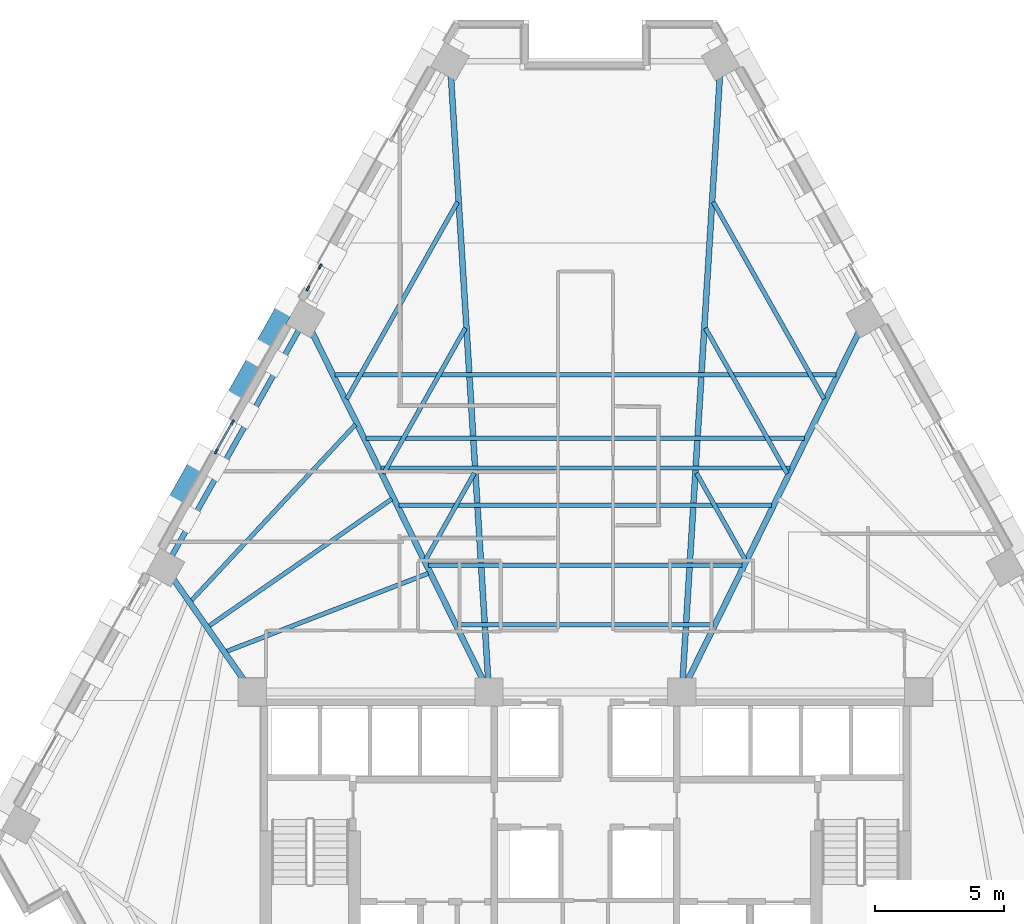
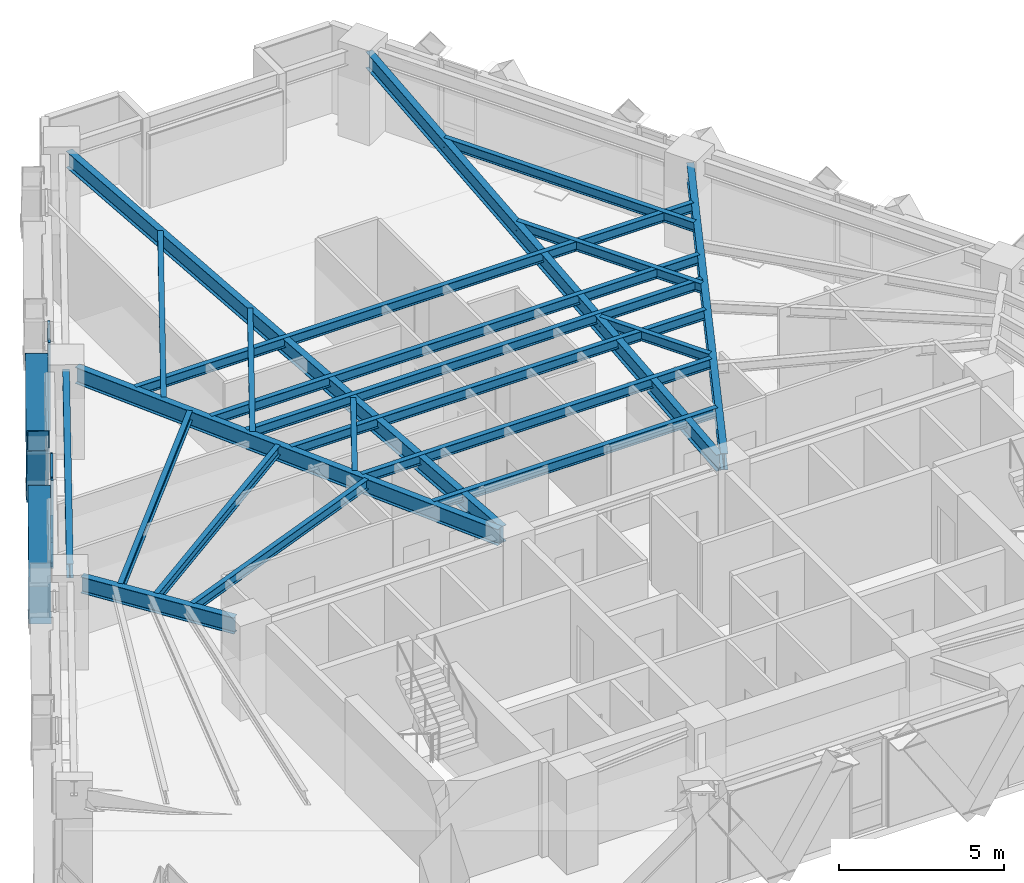
# One storey, part 3 of 13: 21 beams, 10 members, 2 elements without a shape of their own.
"""IFC4 building model written with IfcOpenShell, lengths in metres."""

from ifc_helpers import new_model, si_unit, direction, frame, origin, origin_2d, place, context, subcontext, project, spatial, rectangle, hollow_rectangle, i_section, extrude, material, material_profile, profile_set, type_object, element, aggregate, save


model = new_model("IFC4")

# Units and contexts
model_context = context("Model", 3, precision=1e-05, world=origin(), true_north=direction((0.0, 1.0)))
body_context = subcontext(model_context, "Body", "Model", "MODEL_VIEW")
ifc_project = project(units=[si_unit("LENGTHUNIT", "METRE"), si_unit("AREAUNIT", "SQUARE_METRE"), si_unit("VOLUMEUNIT", "CUBIC_METRE"), si_unit("PLANEANGLEUNIT", "RADIAN"), si_unit("MASSUNIT", "GRAM", prefix="KILO")], contexts=[model_context])

# Site, building, storey
site_placement = place(None, origin())
site = spatial("IfcSite", under=ifc_project, at=site_placement, CompositionType="ELEMENT")
building_placement = place(site_placement, origin())
building = spatial("IfcBuilding", under=site, at=building_placement, Name="Quenlor Broadcast Tower", CompositionType="ELEMENT")
storey_placement = place(building_placement, frame((0.0, 0.0, 98.5)))
storey = spatial("IfcBuildingStorey", under=building, at=storey_placement, Name="L26", CompositionType="ELEMENT", Elevation=98.5)

# Curtain wall, members
ifc_material_1 = material(Name="Architectural Terracotta and Low-E Glazing", Category="masonry")
curtain_wall_type = type_object("IfcCurtainWallType", Name="Unitised Terracotta Curtain Wall System Z2", PredefinedType="NOTDEFINED", material=ifc_material_1)
curtain_wall_1_placement = place(storey_placement, origin())
curtain_wall_1 = element("IfcCurtainWall", 1, at=curtain_wall_1_placement, inside=storey, type_object=curtain_wall_type, Name="L26 Curtain Wall CW2 (L26-NWC-G1)", PredefinedType="NOTDEFINED")
ifc_material_2 = material(Name="Aluminium 6063-T6", Category="aluminium")
ifc_material_profile_1 = material_profile(ifc_material_2, rectangle(XDim=0.074951171875, YDim=0.199951171875, at=origin_2d()))
ifc_profile_set_1 = profile_set([ifc_material_profile_1], Name="Aluminium 6063-T6 MULL75x200")
member_type_1 = type_object("IfcMemberType", Name="CW2 Aluminium Mullion MULL_CW2", PredefinedType="MULLION", material=ifc_profile_set_1)
member_1_placement = place(storey_placement, frame((-10.7880859375, 10.894775390625, 0.0), z_axis=(0.0, 0.0, 1.0), x_axis=(-0.871580587336, 0.490252261371, 0.0)))
member_1 = element("IfcMember", 2, at=member_1_placement, type_object=member_type_1, Name="CW2 mullion 1", PredefinedType="MULLION", context=body_context, shape_type="SweptSolid", body=[
    extrude(rectangle(XDim=0.074951171875, YDim=0.199951171875, at=origin_2d()), origin(), (0.0, 0.0, 1.0), 3.25),
])
member_2_placement = place(storey_placement, frame((-10.306396484375, 11.751220703125, 0.0), z_axis=(0.0, 0.0, 1.0), x_axis=(-0.871580587336, 0.490252261371, 0.0)))
member_2 = element("IfcMember", 3, at=member_2_placement, type_object=member_type_1, Name="CW2 mullion 2", PredefinedType="MULLION", context=body_context, shape_type="SweptSolid", body=[
    extrude(rectangle(XDim=0.074951171875, YDim=0.199951171875, at=origin_2d()), origin(), (0.0, 0.0, 1.0), 3.25),
])
aggregate(curtain_wall_1, [member_1, member_2])

curtain_wall_2_placement = place(storey_placement, origin())
curtain_wall_2 = element("IfcCurtainWall", 4, at=curtain_wall_2_placement, inside=storey, type_object=curtain_wall_type, Name="L26 Curtain Wall CW2 (L26-NW-G1)", PredefinedType="NOTDEFINED")
member_3_placement = place(storey_placement, frame((-14.3515625, 4.559814453125, 0.0), z_axis=(0.0, 0.0, 1.0), x_axis=(-0.871579452423, 0.490254279037, 0.0)))
member_3 = element("IfcMember", 5, at=member_3_placement, type_object=member_type_1, Name="CW2 mullion 1", PredefinedType="MULLION", context=body_context, shape_type="SweptSolid", body=[
    extrude(rectangle(XDim=0.074951171875, YDim=0.199951171875, at=origin_2d()), origin(), (0.0, 0.0, 1.0), 3.25),
])
member_4_placement = place(storey_placement, frame((-13.719482421875, 5.683349609375, 0.0), z_axis=(0.0, 0.0, 1.0), x_axis=(-0.871579452423, 0.490254279037, 0.0)))
member_4 = element("IfcMember", 6, at=member_4_placement, type_object=member_type_1, Name="CW2 mullion 2", PredefinedType="MULLION", context=body_context, shape_type="SweptSolid", body=[
    extrude(rectangle(XDim=0.074951171875, YDim=0.199951171875, at=origin_2d()), origin(), (0.0, 0.0, 1.0), 3.25),
])
ifc_material_3 = material(Name="Aluminium 6063-T6", Category="aluminium")
ifc_material_profile_2 = material_profile(ifc_material_3, rectangle(XDim=0.074951171875, YDim=0.1650390625, at=origin_2d()))
ifc_profile_set_2 = profile_set([ifc_material_profile_2], Name="Aluminium 6063-T6 TRAN75x165")
member_type_2 = type_object("IfcMemberType", Name="CW2 Aluminium Transom TRAN_CW2", PredefinedType="USERDEFINED", material=ifc_profile_set_2)
member_5_placement = place(storey_placement, frame((-14.333251953125, 4.592529296875, 0.03759765625), z_axis=(0.490433072585, 0.871478858788, 0.0), x_axis=(-0.871478858788, 0.490433072585, 0.0)))
member_5 = element("IfcMember", 7, at=member_5_placement, type_object=member_type_2, Name="CW2 transom 1.1", ObjectType="TRANSOM", PredefinedType="USERDEFINED", context=body_context, shape_type="SweptSolid", body=[
    extrude(rectangle(XDim=0.074951171875, YDim=0.1650390625, at=origin_2d()), origin(), (0.0, 0.0, 1.0), 1.214111328125),
])
member_6_placement = place(storey_placement, frame((-14.333251953125, 4.592529296875, 0.949951171875), z_axis=(0.490433072585, 0.871478858788, 0.0), x_axis=(-0.871478858788, 0.490433072585, 0.0)))
member_6 = element("IfcMember", 8, at=member_6_placement, type_object=member_type_2, Name="CW2 transom 1.2", ObjectType="TRANSOM", PredefinedType="USERDEFINED", context=body_context, shape_type="SweptSolid", body=[
    extrude(rectangle(XDim=0.074951171875, YDim=0.1650390625, at=origin_2d()), origin(), (0.0, 0.0, 1.0), 1.214111328125),
])
member_7_placement = place(storey_placement, frame((-14.333251953125, 4.592529296875, 3.21240234375), z_axis=(0.490433072585, 0.871478858788, 0.0), x_axis=(-0.871478858788, 0.490433072585, 0.0)))
member_7 = element("IfcMember", 9, at=member_7_placement, type_object=member_type_2, Name="CW2 transom 1.3", ObjectType="TRANSOM", PredefinedType="USERDEFINED", context=body_context, shape_type="SweptSolid", body=[
    extrude(rectangle(XDim=0.074951171875, YDim=0.1650390625, at=origin_2d()), origin(), (0.0, 0.0, 1.0), 1.214111328125),
])
aggregate(curtain_wall_2, [member_3, member_4, member_5, member_6, member_7])

# Members
ifc_material_4 = material(Name="Steel S355", Category="steel")
ifc_material_profile_3 = material_profile(ifc_material_4, hollow_rectangle(XDim=0.679931640625, YDim=0.679931640625, WallThickness=0.030029296875, at=origin_2d()))
ifc_profile_set_3 = profile_set([ifc_material_profile_3], Name="Steel S355 RHS680x680x30")
member_type_3 = type_object("IfcMemberType", Name="Perimeter Diagonal Lattice Brace Z2 Steel S355 RHS680x30", PredefinedType="BRACE", material=ifc_profile_set_3)
for number, where, z_axis, x_axis, name in (
    (10, (-16.07958984375, 2.29345703125, -0.1201171875), (0.268696511206, 0.477585438485, 0.836489290913), (-0.871532878923, 0.490337068716, 0.0), "L26 Perimeter Diamond Lattice NW-C3S"),
    (11, (-12.68017578125, 8.3369140625, -0.1201171875), (-0.268642373731, -0.477592925498, 0.83650240439), (0.871578380919, -0.490256183964, 0.0), "L26 Perimeter Diamond Lattice NW-C3B"),
):
    element("IfcMember", number, at=place(storey_placement, frame(where, z_axis=z_axis, x_axis=x_axis)), inside=storey, type_object=member_type_3, Name=name, PredefinedType="BRACE", context=body_context, shape_type="SweptSolid", body=[
        extrude(hollow_rectangle(XDim=0.679931640625, YDim=0.679931640625, WallThickness=0.030029296875, at=origin_2d()), origin(), (0.0, 0.0, 1.0), 4.18408203125),
    ])
member_8_placement = place(storey_placement, frame((-12.66650390625, 8.361083984375, -0.1201171875), z_axis=(0.268634887212, 0.477637964099, 0.83647909276), x_axis=(-0.871603971106, 0.490210686901, 0.0)))
element("IfcMember", 12, at=member_8_placement, inside=storey, type_object=member_type_3, Name="L26 Perimeter Diamond Lattice NW-C4S", PredefinedType="BRACE", context=body_context, shape_type="SweptSolid", body=[
    extrude(hollow_rectangle(XDim=0.679931640625, YDim=0.679931640625, WallThickness=0.030029296875, at=origin_2d()), origin(), (0.0, 0.0, 1.0), 4.184326171875),
])

# Beams
ifc_material_5 = material(Name="Steel S355", Category="steel")
ifc_material_profile_4 = material_profile(ifc_material_5, i_section(OverallWidth=0.208984375, OverallDepth=0.5283203125, WebThickness=0.009521484375, FlangeThickness=0.01318359375, FilletRadius=0.013916015625, at=origin_2d()))
ifc_profile_set_4 = profile_set([ifc_material_profile_4], Name="Steel S355 530UB82.0")
beam_type_1 = type_object("IfcBeamType", Name="Perimeter Spandrel Beam Z2 Steel S355 530UB82.0", PredefinedType="SPANDREL", material=ifc_profile_set_4)
beam_1_placement = place(storey_placement, frame((-11.087890625, 9.3623046875, 2.98583984375), z_axis=(-0.49026462139, -0.871573634878, 0.0), x_axis=(0.871573634878, -0.49026462139, 0.0)))
element("IfcBeam", 13, at=beam_1_placement, inside=storey, type_object=beam_type_1, Name="L26 Spandrel Beam NW2-NW3", PredefinedType="SPANDREL", context=body_context, shape_type="SweptSolid", body=[
    extrude(i_section(OverallWidth=0.208984375, OverallDepth=0.5283203125, WebThickness=0.009521484375, FlangeThickness=0.01318359375, FilletRadius=0.013916015625, at=origin_2d()), origin(), (0.0, 0.0, 1.0), 10.28271484375),
])
ifc_material_6 = material(Name="Steel S355", Category="steel")
ifc_material_profile_5 = material_profile(ifc_material_6, i_section(OverallWidth=0.172119140625, OverallDepth=0.358642578125, WebThickness=0.008056640625, FlangeThickness=0.012939453125, FilletRadius=0.011474609375, at=origin_2d()))
ifc_profile_set_5 = profile_set([ifc_material_profile_5], Name="Steel S355 360UB56.7")
beam_type_2 = type_object("IfcBeamType", Name="Tower Composite Joist Z2-Z3 Steel S355 360UB56.7", PredefinedType="JOIST", material=ifc_profile_set_5)
beam_2_placement = place(storey_placement, frame((-4.95458984375, -2.1865234375, 3.07080078125), z_axis=(1.0, 0.0, 0.0), x_axis=(0.0, 1.0, 0.0)))
element("IfcBeam", 14, at=beam_2_placement, inside=storey, type_object=beam_type_2, Name="L26 Secondary Composite Joist 1", PredefinedType="JOIST", context=body_context, shape_type="SweptSolid", body=[
    extrude(i_section(OverallWidth=0.172119140625, OverallDepth=0.358642578125, WebThickness=0.008056640625, FlangeThickness=0.012939453125, FilletRadius=0.011474609375, at=origin_2d()), origin(), (0.0, 0.0, 1.0), 9.9091796875),
])
beam_3_placement = place(storey_placement, frame((-7.9521484375, 3.911865234375, 3.07080078125), z_axis=(1.0, 0.0, 0.0), x_axis=(0.0, 1.0, 0.0)))
element("IfcBeam", 15, at=beam_3_placement, inside=storey, type_object=beam_type_2, Name="L26 Secondary Composite Joist 2", PredefinedType="JOIST", context=body_context, shape_type="SweptSolid", body=[
    extrude(i_section(OverallWidth=0.172119140625, OverallDepth=0.358642578125, WebThickness=0.008056640625, FlangeThickness=0.012939453125, FilletRadius=0.011474609375, at=origin_2d()), origin(), (0.0, 0.0, 1.0), 15.904296875),
])
beam_4_placement = place(storey_placement, frame((-6.096435546875, 0.13671875, 3.07080078125), z_axis=(1.0, 0.0, 0.0), x_axis=(0.0, 1.0, 0.0)))
element("IfcBeam", 16, at=beam_4_placement, inside=storey, type_object=beam_type_2, Name="L26 Secondary Composite Joist 3", PredefinedType="JOIST", context=body_context, shape_type="SweptSolid", body=[
    extrude(i_section(OverallWidth=0.172119140625, OverallDepth=0.358642578125, WebThickness=0.008056640625, FlangeThickness=0.012939453125, FilletRadius=0.011474609375, at=origin_2d()), origin(), (0.0, 0.0, 1.0), 12.19287109375),
])
beam_5_placement = place(storey_placement, frame((-7.238525390625, 2.4599609375, 3.07080078125), z_axis=(1.0, 0.0, 0.0), x_axis=(0.0, 1.0, 0.0)))
element("IfcBeam", 17, at=beam_5_placement, inside=storey, type_object=beam_type_2, Name="L26 Secondary Composite Joist 4", PredefinedType="JOIST", context=body_context, shape_type="SweptSolid", body=[
    extrude(i_section(OverallWidth=0.172119140625, OverallDepth=0.358642578125, WebThickness=0.008056640625, FlangeThickness=0.012939453125, FilletRadius=0.011474609375, at=origin_2d()), origin(), (0.0, 0.0, 1.0), 14.47705078125),
])
beam_6_placement = place(storey_placement, frame((-8.523193359375, 5.073486328125, 3.07080078125), z_axis=(1.0, 0.0, 0.0), x_axis=(0.0, 1.0, 0.0)))
element("IfcBeam", 18, at=beam_6_placement, inside=storey, type_object=beam_type_2, Name="L26 Secondary Composite Joist 5", PredefinedType="JOIST", context=body_context, shape_type="SweptSolid", body=[
    extrude(i_section(OverallWidth=0.172119140625, OverallDepth=0.358642578125, WebThickness=0.008056640625, FlangeThickness=0.012939453125, FilletRadius=0.011474609375, at=origin_2d()), origin(), (0.0, 0.0, 1.0), 17.04638671875),
])
beam_7_placement = place(storey_placement, frame((-9.736328125, 7.541748046875, 3.07080078125), z_axis=(1.0, 0.0, 0.0), x_axis=(0.0, 1.0, 0.0)))
element("IfcBeam", 19, at=beam_7_placement, inside=storey, type_object=beam_type_2, Name="L26 Secondary Composite Joist 6", PredefinedType="JOIST", context=body_context, shape_type="SweptSolid", body=[
    extrude(i_section(OverallWidth=0.172119140625, OverallDepth=0.358642578125, WebThickness=0.008056640625, FlangeThickness=0.012939453125, FilletRadius=0.011474609375, at=origin_2d()), origin(), (0.0, 0.0, 1.0), 19.47265625),
])
beam_8_placement = place(storey_placement, frame((-13.95703125, -3.221435546875, 3.07080078125), z_axis=(0.932542579586, 0.361060018916, 0.0), x_axis=(-0.361060018916, 0.932542579586, 0.0)))
element("IfcBeam", 20, at=beam_8_placement, inside=storey, type_object=beam_type_2, Name="L26 Secondary Composite Joist 7", PredefinedType="JOIST", context=body_context, shape_type="SweptSolid", body=[
    extrude(i_section(OverallWidth=0.172119140625, OverallDepth=0.358642578125, WebThickness=0.008056640625, FlangeThickness=0.012939453125, FilletRadius=0.011474609375, at=origin_2d()), origin(), (0.0, 0.0, 1.0), 8.416259765625),
])
beam_9_placement = place(storey_placement, frame((-14.641845703125, -2.236083984375, 3.07080078125), z_axis=(0.821385737622, 0.570373097219, 0.0), x_axis=(-0.570373097219, 0.821385737622, 0.0)))
element("IfcBeam", 21, at=beam_9_placement, inside=storey, type_object=beam_type_2, Name="L26 Secondary Composite Joist 8", PredefinedType="JOIST", context=body_context, shape_type="SweptSolid", body=[
    extrude(i_section(OverallWidth=0.172119140625, OverallDepth=0.358642578125, WebThickness=0.008056640625, FlangeThickness=0.012939453125, FilletRadius=0.011474609375, at=origin_2d()), origin(), (0.0, 0.0, 1.0), 8.662109375),
])
beam_10_placement = place(storey_placement, frame((-15.3291015625, -1.254638671875, 3.07080078125), z_axis=(0.681880655944, 0.73146344478, 0.0), x_axis=(-0.73146344478, 0.681880655944, 0.0)))
element("IfcBeam", 22, at=beam_10_placement, inside=storey, type_object=beam_type_2, Name="L26 Secondary Composite Joist 9", PredefinedType="JOIST", context=body_context, shape_type="SweptSolid", body=[
    extrude(i_section(OverallWidth=0.172119140625, OverallDepth=0.358642578125, WebThickness=0.008056640625, FlangeThickness=0.012939453125, FilletRadius=0.011474609375, at=origin_2d()), origin(), (0.0, 0.0, 1.0), 9.365234375),
])
beam_11_placement = place(storey_placement, frame((-4.318603515625, 3.7119140625, 3.07080078125), z_axis=(-0.49024921379, -0.871582301552, 0.0), x_axis=(0.871582301552, -0.49024921379, 0.0)))
element("IfcBeam", 23, at=beam_11_placement, inside=storey, type_object=beam_type_2, Name="L26 Secondary Composite Joist 25", PredefinedType="JOIST", context=body_context, shape_type="SweptSolid", body=[
    extrude(i_section(OverallWidth=0.172119140625, OverallDepth=0.358642578125, WebThickness=0.008056640625, FlangeThickness=0.012939453125, FilletRadius=0.011474609375, at=origin_2d()), origin(), (0.0, 0.0, 1.0), 3.85546875),
])
beam_12_placement = place(storey_placement, frame((-4.66650390625, 9.351318359375, 3.07080078125), z_axis=(-0.490232680913, -0.871591600789, 0.0), x_axis=(0.871591600789, -0.490232680913, 0.0)))
element("IfcBeam", 24, at=beam_12_placement, inside=storey, type_object=beam_type_2, Name="L26 Secondary Composite Joist 26", PredefinedType="JOIST", context=body_context, shape_type="SweptSolid", body=[
    extrude(i_section(OverallWidth=0.172119140625, OverallDepth=0.358642578125, WebThickness=0.008056640625, FlangeThickness=0.012939453125, FilletRadius=0.011474609375, at=origin_2d()), origin(), (0.0, 0.0, 1.0), 6.494140625),
])
beam_13_placement = place(storey_placement, frame((-4.96875, 14.255126953125, 3.07080078125), z_axis=(-0.490273109583, -0.871568860171, 0.0), x_axis=(0.871568860171, -0.490273109583, 0.0)))
element("IfcBeam", 25, at=beam_13_placement, inside=storey, type_object=beam_type_2, Name="L26 Secondary Composite Joist 27", PredefinedType="JOIST", context=body_context, shape_type="SweptSolid", body=[
    extrude(i_section(OverallWidth=0.172119140625, OverallDepth=0.358642578125, WebThickness=0.008056640625, FlangeThickness=0.012939453125, FilletRadius=0.011474609375, at=origin_2d()), origin(), (0.0, 0.0, 1.0), 8.78857421875),
])
beam_14_placement = place(storey_placement, frame((4.318603515625, 3.7119140625, 3.07080078125), z_axis=(0.49024921379, -0.871582301552, 0.0), x_axis=(0.871582301552, 0.49024921379, 0.0)))
element("IfcBeam", 26, at=beam_14_placement, inside=storey, type_object=beam_type_2, Name="L26 Secondary Composite Joist 28", PredefinedType="JOIST", context=body_context, shape_type="SweptSolid", body=[
    extrude(i_section(OverallWidth=0.172119140625, OverallDepth=0.358642578125, WebThickness=0.008056640625, FlangeThickness=0.012939453125, FilletRadius=0.011474609375, at=origin_2d()), origin(), (0.0, 0.0, 1.0), 3.85546875),
])
beam_15_placement = place(storey_placement, frame((4.66650390625, 9.351318359375, 3.07080078125), z_axis=(0.490232680913, -0.871591600789, 0.0), x_axis=(0.871591600789, 0.490232680913, 0.0)))
element("IfcBeam", 27, at=beam_15_placement, inside=storey, type_object=beam_type_2, Name="L26 Secondary Composite Joist 29", PredefinedType="JOIST", context=body_context, shape_type="SweptSolid", body=[
    extrude(i_section(OverallWidth=0.172119140625, OverallDepth=0.358642578125, WebThickness=0.008056640625, FlangeThickness=0.012939453125, FilletRadius=0.011474609375, at=origin_2d()), origin(), (0.0, 0.0, 1.0), 6.494140625),
])
beam_16_placement = place(storey_placement, frame((4.96875, 14.255126953125, 3.07080078125), z_axis=(0.490273109583, -0.871568860171, 0.0), x_axis=(0.871568860171, 0.490273109583, 0.0)))
element("IfcBeam", 28, at=beam_16_placement, inside=storey, type_object=beam_type_2, Name="L26 Secondary Composite Joist 30", PredefinedType="JOIST", context=body_context, shape_type="SweptSolid", body=[
    extrude(i_section(OverallWidth=0.172119140625, OverallDepth=0.358642578125, WebThickness=0.008056640625, FlangeThickness=0.012939453125, FilletRadius=0.011474609375, at=origin_2d()), origin(), (0.0, 0.0, 1.0), 8.78857421875),
])
ifc_material_7 = material(Name="Steel S355", Category="steel")
ifc_material_profile_6 = material_profile(ifc_material_7, i_section(OverallWidth=0.22802734375, OverallDepth=0.60205078125, WebThickness=0.010498046875, FlangeThickness=0.014892578125, FilletRadius=0.013916015625, at=origin_2d()))
ifc_profile_set_6 = profile_set([ifc_material_profile_6], Name="Steel S355 610UB101")
beam_type_3 = type_object("IfcBeamType", Name="Tower Primary Floor Beam Z2 Steel S355 610UB101", PredefinedType="BEAM", material=ifc_profile_set_6)
beam_17_placement = place(storey_placement, frame((10.7060546875, 9.351806640625, 2.948974609375), z_axis=(-0.441130328176, -0.897443053103, 0.0), x_axis=(0.897443053103, -0.441130328176, 0.0)))
element("IfcBeam", 29, at=beam_17_placement, inside=storey, type_object=beam_type_3, Name="L26 Primary Radial Beam NE3", PredefinedType="BEAM", context=body_context, shape_type="SweptSolid", body=[
    extrude(i_section(OverallWidth=0.22802734375, OverallDepth=0.60205078125, WebThickness=0.010498046875, FlangeThickness=0.014892578125, FilletRadius=0.013916015625, at=origin_2d()), origin(), (0.0, 0.0, 1.0), 15.38916015625),
])
for number, where, z_axis, x_axis, name in (
    (30, (5.237060546875, 19.309814453125, 2.948974609375), (-0.061559977358, -0.998103386022, 0.0), (0.998103386022, -0.061559977358, 0.0), "L26 Primary Radial Beam NE4"),
    (31, (-5.237060546875, 19.309814453125, 2.948974609375), (0.061559977358, -0.998103386022, 0.0), (0.998103386022, 0.061559977358, 0.0), "L26 Primary Radial Beam NW1"),
):
    element("IfcBeam", number, at=place(storey_placement, frame(where, z_axis=z_axis, x_axis=x_axis)), inside=storey, type_object=beam_type_3, Name=name, PredefinedType="BEAM", context=body_context, shape_type="SweptSolid", body=[
        extrude(i_section(OverallWidth=0.22802734375, OverallDepth=0.60205078125, WebThickness=0.010498046875, FlangeThickness=0.014892578125, FilletRadius=0.013916015625, at=origin_2d()), origin(), (0.0, 0.0, 1.0), 23.775634765625),
    ])
beam_18_placement = place(storey_placement, frame((-10.7060546875, 9.351806640625, 2.948974609375), z_axis=(0.441130328176, -0.897443053103, 0.0), x_axis=(0.897443053103, 0.441130328176, 0.0)))
element("IfcBeam", 32, at=beam_18_placement, inside=storey, type_object=beam_type_3, Name="L26 Primary Radial Beam NW2", PredefinedType="BEAM", context=body_context, shape_type="SweptSolid", body=[
    extrude(i_section(OverallWidth=0.22802734375, OverallDepth=0.60205078125, WebThickness=0.010498046875, FlangeThickness=0.014892578125, FilletRadius=0.013916015625, at=origin_2d()), origin(), (0.0, 0.0, 1.0), 15.38916015625),
])
beam_19_placement = place(storey_placement, frame((-16.095458984375, -0.293212890625, 2.948974609375), z_axis=(0.572337599985, -0.820018092266, 0.0), x_axis=(0.820018092266, 0.572337599985, 0.0)))
element("IfcBeam", 33, at=beam_19_placement, inside=storey, type_object=beam_type_3, Name="L26 Primary Radial Beam NW3", PredefinedType="BEAM", context=body_context, shape_type="SweptSolid", body=[
    extrude(i_section(OverallWidth=0.22802734375, OverallDepth=0.60205078125, WebThickness=0.010498046875, FlangeThickness=0.014892578125, FilletRadius=0.013916015625, at=origin_2d()), origin(), (0.0, 0.0, 1.0), 5.11572265625),
])

save(model, "model.ifc")
